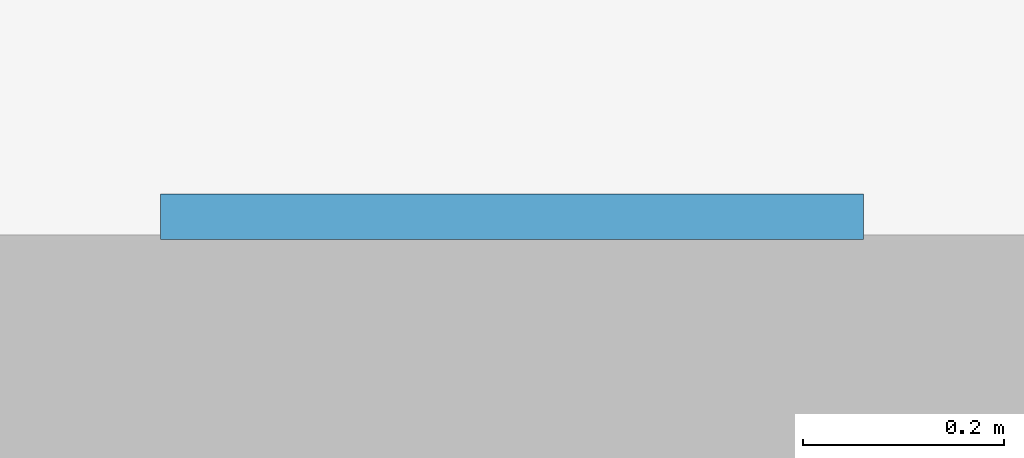
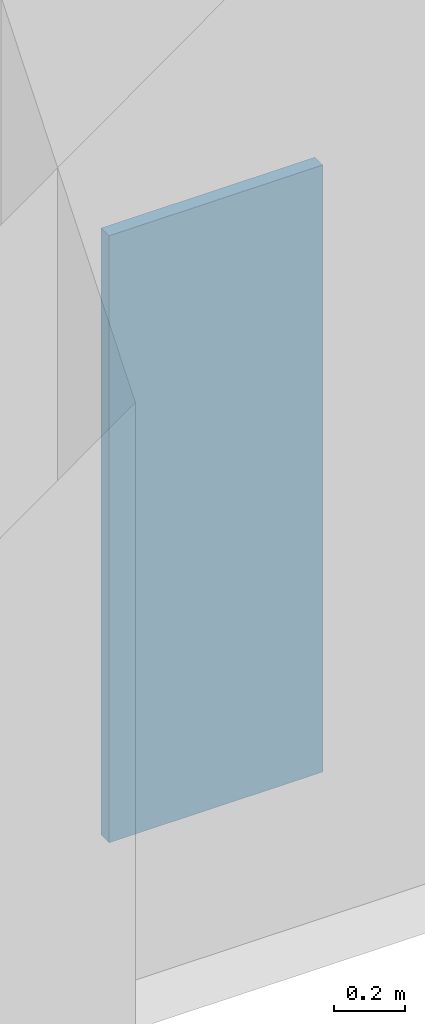
# One storey, part 8 of 19: 1 plate.
"""IFC4 building model written with IfcOpenShell, lengths in metres."""

from ifc_helpers import new_model, si_unit, derived_unit, direction, frame, origin, origin_2d, place, context, subcontext, project, spatial, rectangle, extrude, source, transform, mapped, material, layer, layer_set, type_object, type_shapes, element, save


model = new_model("IFC4")

# Units and contexts
model_context = context("Model", 3, precision=1e-05, world=origin(), true_north=direction((0.0, 1.0)))
body_context = subcontext(model_context, "Body", "Model", "MODEL_VIEW")
ifc_project = project(units=[si_unit("LENGTHUNIT", "METRE"), si_unit("AREAUNIT", "SQUARE_METRE"), si_unit("VOLUMEUNIT", "CUBIC_METRE"), si_unit("PLANEANGLEUNIT", "RADIAN"), si_unit("MASSUNIT", "GRAM", prefix="KILO"), si_unit("THERMODYNAMICTEMPERATUREUNIT", "KELVIN"), si_unit("POWERUNIT", "WATT"), derived_unit("THERMALTRANSMITTANCEUNIT", [(si_unit("POWERUNIT", "WATT"), 1), (si_unit("AREAUNIT", "SQUARE_METRE"), -1), (si_unit("THERMODYNAMICTEMPERATUREUNIT", "KELVIN"), -1)])], contexts=[model_context])

# Site, building, storey
site_placement = place(None, origin())
site = spatial("IfcSite", under=ifc_project, at=site_placement, CompositionType="ELEMENT")
building_placement = place(site_placement, origin())
building = spatial("IfcBuilding", under=site, at=building_placement, Name="Zahravan Archway Hotel and Residences", CompositionType="ELEMENT")
storey_placement = place(building_placement, frame((0.0, 0.0, 21.60009765625)))
storey = spatial("IfcBuildingStorey", under=building, at=storey_placement, Name="L04", CompositionType="ELEMENT", Elevation=21.60009765625)

# Plate
ifc_material = material(Name="Perforated Cast Bronze Jali Lattice")
ifc_layer = layer(ifc_material, 0.044921875, Name="Perforated Cast Bronze Jali Lattice")
ifc_layer_set = layer_set([ifc_layer], Name="Perforated Cast Bronze Jali Lattice")
plate_type = type_object("IfcPlateType", Name="PLT-JALI-BAY", PredefinedType="USERDEFINED", material=ifc_layer_set)
shared_shape = source(origin(), body_context, "Body", "SweptSolid", [
    extrude(rectangle(XDim=0.699951171875, YDim=0.044921875, at=origin_2d()), origin(), (0.0, 0.0, 1.0), 2.10009765625),
])
type_shapes(plate_type, [shared_shape])
plate_placement = place(storey_placement, frame((69.699951171875, 0.177978515625, 0.249755859375), z_axis=(0.0, 0.0, 1.0), x_axis=(1.0, 0.0, 0.0)))
element("IfcPlate", 1, at=plate_placement, inside=storey, type_object=plate_type, Name="L04 Podium Mughal Jali Pier Screen 10", ObjectType="SCREEN", PredefinedType="USERDEFINED", context=body_context, shape_type="MappedRepresentation", body=[
    mapped(shared_shape, transform((0.0, 0.0, 0.0), scale=1.0)),
])

save(model, "model.ifc")
